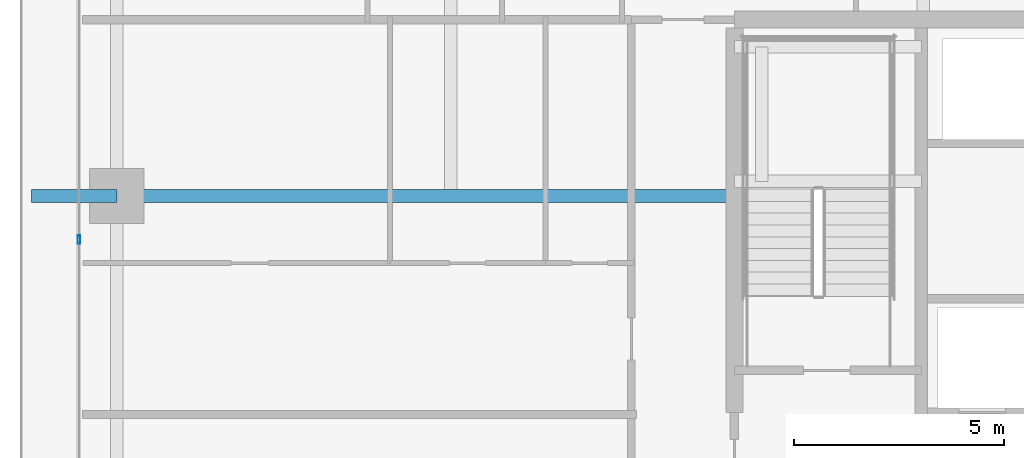
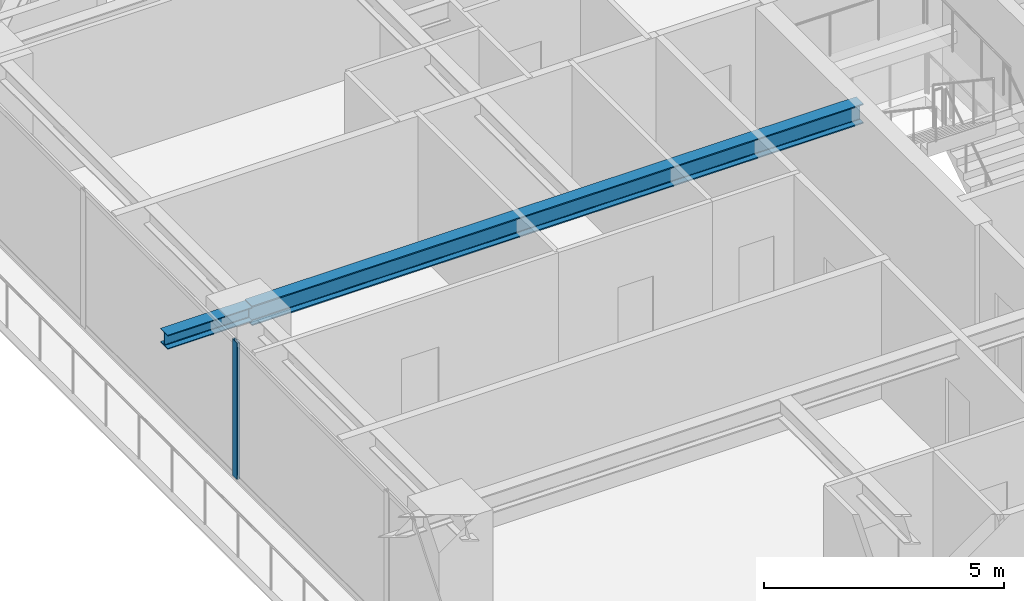
# One storey, part 9 of 38: 2 beams, 1 member, 1 element without a shape of its own.
"""IFC4 building model written with IfcOpenShell, lengths in metres."""

from ifc_helpers import new_model, si_unit, direction, frame, origin, origin_2d, place, context, subcontext, project, spatial, hollow_rectangle, i_section, extrude, source, transform, mapped, material, layer, layer_set, material_profile, profile_set, type_object, element, aggregate, save


model = new_model("IFC4")

# Units and contexts
model_context = context("Model", 3, precision=1e-05, world=origin(), true_north=direction((0.0, 1.0)))
body_context = subcontext(model_context, "Body", "Model", "MODEL_VIEW")
ifc_project = project(units=[si_unit("LENGTHUNIT", "METRE"), si_unit("AREAUNIT", "SQUARE_METRE"), si_unit("VOLUMEUNIT", "CUBIC_METRE"), si_unit("PLANEANGLEUNIT", "RADIAN"), si_unit("MASSUNIT", "GRAM", prefix="KILO")], contexts=[model_context])

# Site, building, storey
site_placement = place(None, origin())
site = spatial("IfcSite", under=ifc_project, at=site_placement, CompositionType="ELEMENT")
building_placement = place(site_placement, origin())
building = spatial("IfcBuilding", under=site, at=building_placement, Name="Serunith Strait Residences", CompositionType="ELEMENT")
storey_placement = place(building_placement, frame((0.0, 0.0, 176.39990234375)))
storey = spatial("IfcBuildingStorey", under=building, at=storey_placement, Name="L44", CompositionType="ELEMENT", Elevation=176.39990234375)

# Beams
ifc_material_1 = material(Name="Steel S355J2", Category="steel")
ifc_material_profile_1 = material_profile(ifc_material_1, i_section(OverallWidth=0.300048828125, OverallDepth=0.5, WebThickness=0.014404296875, FlangeThickness=0.028076171875, FilletRadius=0.027099609375, at=origin_2d()), Name="HEB 500")
ifc_profile_set_1 = profile_set([ifc_material_profile_1], Name="Steel S355J2")
beam_type_1 = type_object("IfcBeamType", Name="BM-HEB500", PredefinedType="BEAM", material=ifc_profile_set_1)
shared_shape_1 = source(origin(), body_context, "Body", "SweptSolid", [
    extrude(i_section(OverallWidth=0.300048828125, OverallDepth=0.5, WebThickness=0.014404296875, FlangeThickness=0.028076171875, FilletRadius=0.027099609375, at=origin_2d()), origin(), (0.0, 0.0, 1.0), 14.699951171875),
])
beam_1_placement = place(storey_placement, frame((23.39990234375, 29.39990234375, 3.237060546875), z_axis=(-1.0, 0.0, 0.0), x_axis=(0.0, -1.0, 0.0)))
element("IfcBeam", 1, at=beam_1_placement, inside=storey, type_object=beam_type_1, Name="L44 Primary Floor Girder TC-W3", PredefinedType="BEAM", context=body_context, shape_type="MappedRepresentation", body=[
    mapped(shared_shape_1, transform((0.0, 0.0, 0.0), scale=1.0)),
])
ifc_material_profile_2 = material_profile(ifc_material_1, i_section(OverallWidth=0.300048828125, OverallDepth=0.360107421875, WebThickness=0.012451171875, FlangeThickness=0.0224609375, FilletRadius=0.027099609375, at=origin_2d()), Name="HEB 360")
ifc_profile_set_2 = profile_set([ifc_material_profile_2], Name="Steel S355J2")
beam_type_2 = type_object("IfcBeamType", Name="BM-HEB360", PredefinedType="BEAM", material=ifc_profile_set_2)
shared_shape_2 = source(origin(), body_context, "Body", "SweptSolid", [
    extrude(i_section(OverallWidth=0.300048828125, OverallDepth=0.360107421875, WebThickness=0.012451171875, FlangeThickness=0.0224609375, FilletRadius=0.027099609375, at=origin_2d()), origin(), (0.0, 0.0, 1.0), 2.030029296875),
])
beam_2_placement = place(storey_placement, frame((8.699951171875, 29.39990234375, 3.277099609375), z_axis=(-1.0, 0.0, 0.0), x_axis=(0.0, -1.0, 0.0)))
element("IfcBeam", 2, at=beam_2_placement, inside=storey, type_object=beam_type_2, Name="L45 Cantilevered Balcony Rib TC-W3", PredefinedType="BEAM", context=body_context, shape_type="MappedRepresentation", body=[
    mapped(shared_shape_2, transform((0.0, 0.0, 0.0), scale=1.0)),
])

# Curtain wall, member
ifc_material_2 = material(Name="Pale-Champagne Anodised Aluminium", Category="aluminium")
ifc_layer = layer(ifc_material_2, 0.199951171875, Name="Pale-Champagne Anodised Aluminium")
ifc_layer_set = layer_set([ifc_layer], Name="Pale-Champagne Anodised Aluminium")
curtain_wall_type = type_object("IfcCurtainWallType", Name="CW-SYS2", PredefinedType="NOTDEFINED", material=ifc_layer_set)
curtain_wall_placement = place(storey_placement, origin())
curtain_wall = element("IfcCurtainWall", 3, at=curtain_wall_placement, inside=storey, type_object=curtain_wall_type, Name="L44 W Unitised Fritted Curtain Wall", PredefinedType="NOTDEFINED")
ifc_material_profile_3 = material_profile(ifc_material_2, hollow_rectangle(XDim=0.070068359375, YDim=0.199951171875, WallThickness=0.00390625, InnerFilletRadius=0.006103515625, OuterFilletRadius=0.010009765625, at=origin_2d()), Name="ALU 200x70x4")
ifc_profile_set_3 = profile_set([ifc_material_profile_3], Name="Pale-Champagne Anodised Aluminium")
member_type = type_object("IfcMemberType", Name="CW-SYS2-MULL", PredefinedType="MULLION", material=ifc_profile_set_3)
shared_shape_3 = source(origin(), body_context, "Body", "SweptSolid", [
    extrude(hollow_rectangle(XDim=0.070068359375, YDim=0.199951171875, WallThickness=0.00390625, InnerFilletRadius=0.006103515625, OuterFilletRadius=0.010009765625, at=origin_2d()), origin(), (0.0, 0.0, 1.0), 3.47509765625),
])
member_placement = place(storey_placement, frame((7.800048828125, 28.360107421875, 0.0), z_axis=(0.0, 0.0, 1.0), x_axis=(1.0, 0.0, 0.0)))
member = element("IfcMember", 4, at=member_placement, type_object=member_type, Name="CW-2 mullion 3", PredefinedType="MULLION", context=body_context, shape_type="MappedRepresentation", body=[
    mapped(shared_shape_3, transform((0.0, 0.0, 0.0), scale=1.0)),
])
aggregate(curtain_wall, [member])

save(model, "model.ifc")
